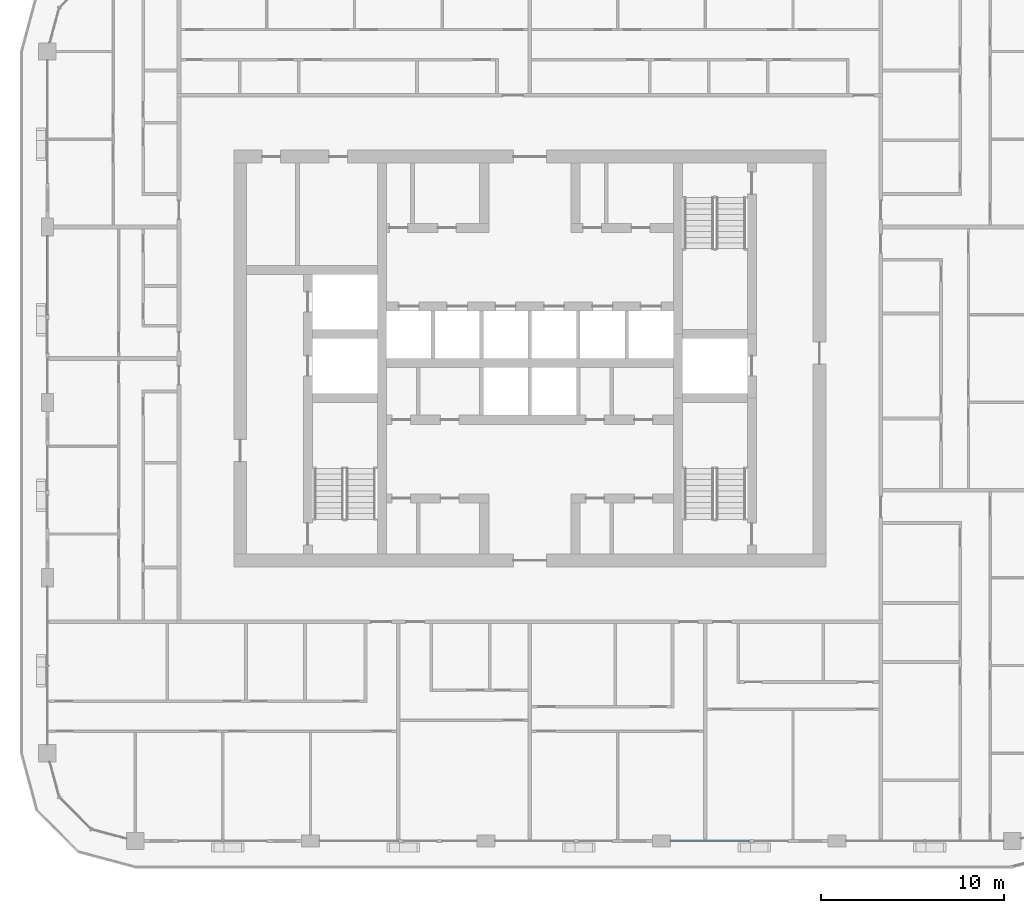
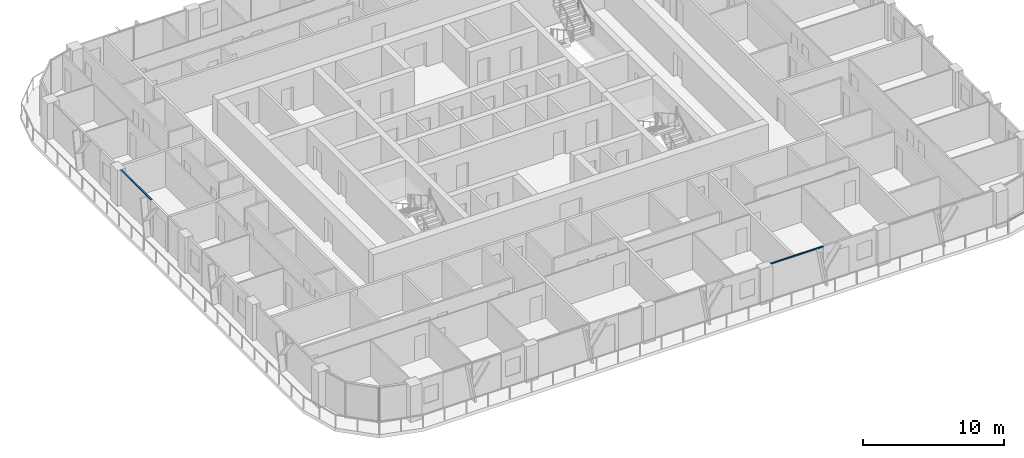
# One storey, part 3 of 22: 2 members, 2 elements without a shape of their own.
"""IFC4 building model written with IfcOpenShell, lengths in metres."""

import ifcopenshell
import ifcopenshell.guid

model = None  # the IFC model being written
_history = None  # IfcOwnerHistory: only IFC2X3 demands one
_inside = {}  # id of a spatial element -> (the spatial element, [elements in it])
_under = {}  # id of a project, library or spatial element -> (it, [spatial elements below it])
_declared = {}  # id of a project -> (the project, [libraries it declares])
_typed = {}  # id of a type object -> (the type object, [elements of that type])
_made_of = {}  # id of a material, layer set ... -> (it, [elements and type objects made of it])


def new_model(schema):
    """Start an empty IFC model of exactly this schema.

    Asked for "IFC4X3", IfcOpenShell would pick the latest addendum, in which some entities
    have other attributes; the version numbers below select the first issue.
    IFC2X3 requires an IfcOwnerHistory on every rooted entity: one is made here for all.
    """
    global model, _history
    if schema == "IFC4X3":
        model = ifcopenshell.file(schema_version=(4, 3, 0, 0))
    else:
        model = ifcopenshell.file(schema=schema)
    _inside.clear()
    _under.clear()
    _declared.clear()
    _typed.clear()
    _made_of.clear()
    _history = None
    if model.schema == "IFC2X3":
        org = make("IfcOrganization", Name="unknown")
        user = make(
            "IfcPersonAndOrganization",
            ThePerson=make("IfcPerson", FamilyName="unknown"),
            TheOrganization=org,
        )
        app = make(
            "IfcApplication",
            ApplicationDeveloper=org,
            Version="unknown",
            ApplicationFullName="unknown",
            ApplicationIdentifier="unknown",
        )
        _history = make(
            "IfcOwnerHistory",
            OwningUser=user,
            OwningApplication=app,
            ChangeAction="ADDED",
            CreationDate=0,
        )
    return model


def make(cls, **values):
    """One entity of the class cls with the attributes given. An attribute that is None is left unset."""
    return model.create_entity(
        cls, **{name: value for name, value in values.items() if value is not None}
    )


def rooted(cls, **values):
    """An entity with a GlobalId (a new one), such as an element, a storey or a relation."""
    return make(cls, GlobalId=ifcopenshell.guid.new(), OwnerHistory=_history, **values)


def si_unit(unit_type, name, prefix=None):
    """IfcSIUnit, for example si_unit("LENGTHUNIT", "METRE", prefix="MILLI")."""
    return make("IfcSIUnit", UnitType=unit_type, Prefix=prefix, Name=name)


def assignment(units):
    """IfcUnitAssignment: the units of a project."""
    return None if units is None else make("IfcUnitAssignment", Units=units)


def point(xyz):
    """IfcCartesianPoint."""
    return None if xyz is None else make("IfcCartesianPoint", Coordinates=xyz)


def direction(xyz):
    """IfcDirection."""
    return None if xyz is None else make("IfcDirection", DirectionRatios=xyz)


def frame(location, z_axis=None, x_axis=None):
    """IfcAxis2Placement3D, a coordinate frame: its origin and axes. An axis left out is left unset."""
    return make(
        "IfcAxis2Placement3D",
        Location=point(location),
        Axis=direction(z_axis),
        RefDirection=direction(x_axis),
    )


def frame_2d(location, x_axis=None):
    """IfcAxis2Placement2D, a coordinate frame in the plane: its origin and x axis."""
    return make(
        "IfcAxis2Placement2D", Location=point(location), RefDirection=direction(x_axis)
    )


def origin():
    """The frame at (0, 0, 0) with its axes left unset."""
    return frame((0.0, 0.0, 0.0))


def origin_2d():
    """The frame at (0, 0) in the plane with its x axis left unset."""
    return frame_2d((0.0, 0.0))


def place(relative_to, where):
    """IfcLocalPlacement: puts the frame where relative to a parent placement (None: the world)."""
    return make(
        "IfcLocalPlacement", PlacementRelTo=relative_to, RelativePlacement=where
    )


def context(
    kind, dimensions, precision=None, world=None, true_north=None, identifier=None
):
    """IfcGeometricRepresentationContext, for example the 3D "Model" context."""
    return make(
        "IfcGeometricRepresentationContext",
        ContextIdentifier=identifier,
        ContextType=kind,
        CoordinateSpaceDimension=dimensions,
        Precision=precision,
        WorldCoordinateSystem=world,
        TrueNorth=true_north,
    )


def subcontext(parent, identifier, kind, view, scale=None):
    """IfcGeometricRepresentationSubContext, for example "Body" below "Model"."""
    return make(
        "IfcGeometricRepresentationSubContext",
        ContextIdentifier=identifier,
        ContextType=kind,
        ParentContext=parent,
        TargetScale=scale,
        TargetView=view,
    )


def project(units=None, contexts=None):
    """IfcProject with its units and contexts."""
    return rooted(
        "IfcProject",
        Name="project",
        RepresentationContexts=contexts,
        UnitsInContext=assignment(units),
    )


def spatial(cls, under=None, at=None, **own):
    """A site, building, storey or space (cls), placed at a placement, below another one or the project."""
    s = rooted(cls, ObjectPlacement=at, **own)
    if under is not None:
        _under.setdefault(under.id(), (under, []))[1].append(s)
    return s


def profile(cls, at=None, kind="AREA", **sizes):
    """A parametric profile (cls). Its sizes go by their IFC names, for example OverallWidth=200.0."""
    return make(cls, ProfileType=kind, Position=at, **sizes)


def rectangle(**sizes):
    """IfcRectangleProfileDef."""
    return profile("IfcRectangleProfileDef", **sizes)


def extrude(swept, where, along, depth):
    """IfcExtrudedAreaSolid: the profile swept, set in the frame where, extruded along a direction by depth."""
    return make(
        "IfcExtrudedAreaSolid",
        SweptArea=swept,
        Position=where,
        ExtrudedDirection=direction(along),
        Depth=depth,
    )


def shape(context_of_items, identifier, shape_type, items):
    """IfcShapeRepresentation: the items that make up one representation, for example the "Body"."""
    return make(
        "IfcShapeRepresentation",
        ContextOfItems=context_of_items,
        RepresentationIdentifier=identifier,
        RepresentationType=shape_type,
        Items=items,
    )


def material(Name=None, Category=None):
    """IfcMaterial."""
    return make("IfcMaterial", Name=Name, Category=Category)


def layer(
    of_material, thickness, ventilated=None, Name=None, Category=None, Priority=None
):
    """IfcMaterialLayer: one layer of a wall or slab, of a material (None: an air gap)."""
    return make(
        "IfcMaterialLayer",
        Material=of_material,
        LayerThickness=thickness,
        IsVentilated=ventilated,
        Name=Name,
        Category=Category,
        Priority=Priority,
    )


def layer_set(layers, Name=None):
    """IfcMaterialLayerSet."""
    return make("IfcMaterialLayerSet", MaterialLayers=layers, LayerSetName=Name)


def material_profile(
    of_material, cross_section, Name=None, Category=None, Priority=None
):
    """IfcMaterialProfile: a cross section and its material."""
    return make(
        "IfcMaterialProfile",
        Name=Name,
        Material=of_material,
        Profile=cross_section,
        Priority=Priority,
        Category=Category,
    )


def profile_set(profiles, Name=None, composite=None):
    """IfcMaterialProfileSet."""
    return make(
        "IfcMaterialProfileSet",
        Name=Name,
        MaterialProfiles=profiles,
        CompositeProfile=composite,
    )


def made_of(thing, what):
    """Note that an element or type object is made of a material, layer set ...; save() writes the relation."""
    if what is not None:
        _made_of.setdefault(what.id(), (what, []))[1].append(thing)
    return thing


def type_object(cls, material=None, **own):
    """A type object (cls), such as IfcWallType, which elements share."""
    return made_of(rooted(cls, **own), material)


def element(
    cls,
    number,
    at=None,
    inside=None,
    cuts=None,
    type_object=None,
    material=None,
    context=None,
    identifier="Body",
    shape_type=None,
    held_by="IfcProductDefinitionShape",
    body=None,
    shapes=None,
    **own,
):
    """One element of the class cls, such as IfcWall. Its Tag is "e" and its number.

    at: its placement. inside: the storey or other place that contains it. cuts: it is an
    opening in that element (IfcRelVoidsElement). A single representation is given by context,
    identifier, shape_type and body (its items); several are given by shapes. held_by: the class
    of the entity that holds the representations. save() writes the other relations.
    """
    e = rooted(cls, Tag="e%d" % number, ObjectPlacement=at, **own)
    if body is not None:
        shapes = [shape(context, identifier, shape_type, body)]
    if shapes is not None:
        e.Representation = make(held_by, Representations=shapes)
    if inside is not None:
        _inside.setdefault(inside.id(), (inside, []))[1].append(e)
    if cuts is not None:
        rooted(
            "IfcRelVoidsElement", RelatingBuildingElement=cuts, RelatedOpeningElement=e
        )
    if type_object is not None:
        _typed.setdefault(type_object.id(), (type_object, []))[1].append(e)
    return made_of(e, material)


def aggregate(whole, parts):
    """IfcRelAggregates: a whole, such as a stair, and the parts it consists of."""
    return rooted("IfcRelAggregates", RelatingObject=whole, RelatedObjects=parts)


def save(model, path):
    """Write the relations noted so far, then the file.

    IfcRelAggregates (storeys below a building ...), IfcRelContainedInSpatialStructure (elements
    in a storey), IfcRelDefinesByType, IfcRelAssociatesMaterial and IfcRelDeclares: one each for
    every whole, place, type object, material and project.
    """
    for whole, parts in _under.values():
        aggregate(whole, parts)
    for where, things in _inside.values():
        rooted(
            "IfcRelContainedInSpatialStructure",
            RelatedElements=things,
            RelatingStructure=where,
        )
    for kind, things in _typed.values():
        rooted("IfcRelDefinesByType", RelatedObjects=things, RelatingType=kind)
    for what, things in _made_of.values():
        rooted("IfcRelAssociatesMaterial", RelatedObjects=things, RelatingMaterial=what)
    for by, libraries in _declared.values():
        rooted("IfcRelDeclares", RelatingContext=by, RelatedDefinitions=libraries)
    model.write(path)


model = new_model("IFC4")

# Units and contexts
model_context = context("Model", 3, precision=1e-05, world=origin(), true_north=direction((0.0, 1.0)))
body_context = subcontext(model_context, "Body", "Model", "MODEL_VIEW")
ifc_project = project(units=[si_unit("LENGTHUNIT", "METRE"), si_unit("AREAUNIT", "SQUARE_METRE"), si_unit("VOLUMEUNIT", "CUBIC_METRE"), si_unit("PLANEANGLEUNIT", "RADIAN"), si_unit("MASSUNIT", "GRAM", prefix="KILO")], contexts=[model_context])

# Site, building, storey
site_placement = place(None, origin())
site = spatial("IfcSite", under=ifc_project, at=site_placement, CompositionType="ELEMENT")
building_placement = place(site_placement, origin())
building = spatial("IfcBuilding", under=site, at=building_placement, Name="Madar Terraces", CompositionType="ELEMENT")
storey_placement = place(building_placement, frame((0.0, 0.0, 199.89990234375)))
storey = spatial("IfcBuildingStorey", under=building, at=storey_placement, Name="L52", CompositionType="ELEMENT", Elevation=199.89990234375)

# Curtain wall, member
ifc_material_1 = material(Name="Glass, ceramic frit dark grey, with black aluminium frame", Category="aluminium")
ifc_layer = layer(ifc_material_1, 0.199951171875)
ifc_layer_set = layer_set([ifc_layer], Name="Facade curtain wall, fritted glass")
curtain_wall_type = type_object("IfcCurtainWallType", Name="Facade curtain wall, fritted glass", PredefinedType="NOTDEFINED", material=ifc_layer_set)
curtain_wall_1_placement = place(storey_placement, origin())
curtain_wall_1 = element("IfcCurtainWall", 1, at=curtain_wall_1_placement, inside=storey, type_object=curtain_wall_type, Name="Outer skin curtain wall south bay 4", PredefinedType="NOTDEFINED")
ifc_material_2 = material(Name="Aluminium, black anodised", Category="aluminium")
ifc_material_profile = material_profile(ifc_material_2, rectangle(XDim=0.1201171875, YDim=0.06005859375, at=origin_2d()), Name="Facade transom 60x120")
ifc_profile_set = profile_set([ifc_material_profile], Name="Aluminium, black anodised")
member_type = type_object("IfcMemberType", Name="Facade transom 60x120", PredefinedType="USERDEFINED", material=ifc_profile_set)
member_1_placement = place(storey_placement, frame((38.89990234375, 0.0, 3.070068359375), z_axis=(1.0, 0.0, 0.0), x_axis=(0.0, 1.0, 0.0)))
member_1 = element("IfcMember", 2, at=member_1_placement, type_object=member_type, Name="Transom 1", ObjectType="TRANSOM", PredefinedType="USERDEFINED", context=body_context, shape_type="SweptSolid", body=[
    extrude(rectangle(XDim=0.1201171875, YDim=0.06005859375, at=origin_2d()), origin(), (0.0, 0.0, 1.0), 4.300048828125),
])
aggregate(curtain_wall_1, [member_1])

curtain_wall_2_placement = place(storey_placement, origin())
curtain_wall_2 = element("IfcCurtainWall", 3, at=curtain_wall_2_placement, inside=storey, type_object=curtain_wall_type, Name="Outer skin curtain wall west bay 2", PredefinedType="NOTDEFINED")
member_2_placement = place(storey_placement, frame((4.800048828125, 33.10009765625, 3.070068359375), z_axis=(0.0, -1.0, 0.0), x_axis=(1.0, 0.0, 0.0)))
member_2 = element("IfcMember", 4, at=member_2_placement, type_object=member_type, Name="Transom 1", ObjectType="TRANSOM", PredefinedType="USERDEFINED", context=body_context, shape_type="SweptSolid", body=[
    extrude(rectangle(XDim=0.1201171875, YDim=0.06005859375, at=origin_2d()), origin(), (0.0, 0.0, 1.0), 4.300048828125),
])
aggregate(curtain_wall_2, [member_2])

save(model, "model.ifc")
